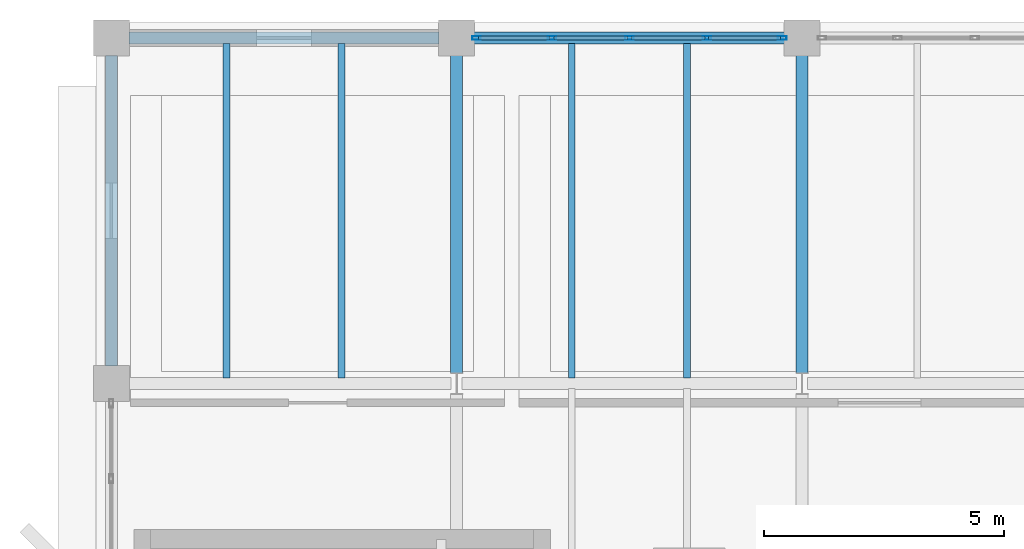
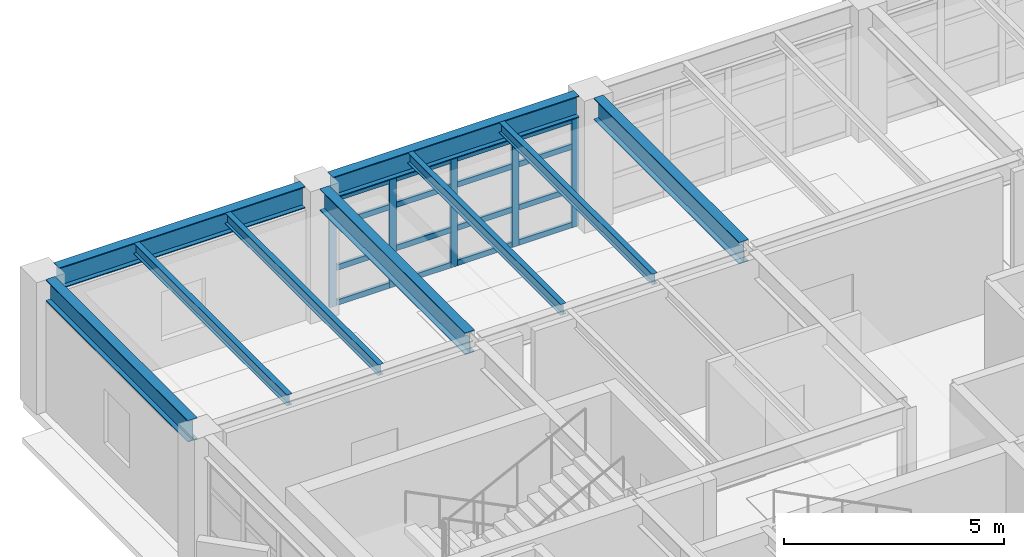
# One storey, part 9 of 24: 21 members, 9 beams, 1 element without a shape of its own.
"""IFC4 building model written with IfcOpenShell, lengths in metres."""

from ifc_helpers import new_model, si_unit, direction, frame, origin, origin_2d, place, context, subcontext, project, spatial, hollow_rectangle, i_section, extrude, material, layer, layer_set, material_profile, profile_set, type_object, element, aggregate, save


model = new_model("IFC4")

# Units and contexts
model_context = context("Model", 3, precision=1e-05, world=origin(), true_north=direction((0.0, 1.0)))
body_context = subcontext(model_context, "Body", "Model", "MODEL_VIEW")
ifc_project = project(units=[si_unit("LENGTHUNIT", "METRE"), si_unit("AREAUNIT", "SQUARE_METRE"), si_unit("VOLUMEUNIT", "CUBIC_METRE"), si_unit("PLANEANGLEUNIT", "RADIAN"), si_unit("MASSUNIT", "GRAM", prefix="KILO")], contexts=[model_context])

# Site, building, storey
site_placement = place(None, origin())
site = spatial("IfcSite", under=ifc_project, at=site_placement, CompositionType="ELEMENT")
building_placement = place(site_placement, origin())
building = spatial("IfcBuilding", under=site, at=building_placement, Name="Kandorven Conservatory and Botanical Research Centre", CompositionType="ELEMENT")
storey_placement = place(building_placement, frame((0.0, 0.0, 21.0)))
storey = spatial("IfcBuildingStorey", under=building, at=storey_placement, Name="L05", CompositionType="ELEMENT", Elevation=21.0)

# Beams
ifc_material_1 = material(Name="Steel S355 (IS 2062 E350)", Category="steel")
ifc_material_profile_1 = material_profile(ifc_material_1, i_section(OverallWidth=0.25, OverallDepth=0.60009765625, WebThickness=0.01171875, FlangeThickness=0.023681640625, at=origin_2d()))
ifc_profile_set_1 = profile_set([ifc_material_profile_1], Name="Steel S355 (IS 2062 E350)")
beam_type_1 = type_object("IfcBeamType", Name="Beam_FG-01", PredefinedType="USERDEFINED", material=ifc_profile_set_1)
for number, where, z_axis, x_axis, name in (
    (1, (6.364990234375, 34.800048828125, 3.3701171875), (1.0, 0.0, 0.0), (0.0, 1.0, 0.0), "Primary girder FG-01 TWR L05"),
    (2, (13.56494140625, 34.800048828125, 3.3701171875), (1.0, 0.0, 0.0), (0.0, 1.0, 0.0), "Primary girder FG-01 TWR L05"),
    (3, (6.0, 27.965087890625, 3.3701171875), (0.0, 1.0, 0.0), (-1.0, 0.0, 0.0), "Primary girder FG-01 TWR L05"),
):
    element("IfcBeam", number, at=place(storey_placement, frame(where, z_axis=z_axis, x_axis=x_axis)), inside=storey, type_object=beam_type_1, Name=name, ObjectType="GIRDER", PredefinedType="USERDEFINED", context=body_context, shape_type="SweptSolid", body=[
        extrude(i_section(OverallWidth=0.25, OverallDepth=0.60009765625, WebThickness=0.01171875, FlangeThickness=0.023681640625, at=origin_2d()), origin(), (0.0, 0.0, 1.0), 6.469970703125),
    ])
for number, where, z_axis, x_axis, name in (
    (4, (13.199951171875, 27.81494140625, 3.3701171875), (0.0, 1.0, 0.0), (-1.0, 0.0, 0.0), "Primary girder FG-01 TWR L05"),
    (5, (20.39990234375, 27.81494140625, 3.3701171875), (0.0, 1.0, 0.0), (-1.0, 0.0, 0.0), "Primary girder FG-01 TWR L05"),
):
    element("IfcBeam", number, at=place(storey_placement, frame(where, z_axis=z_axis, x_axis=x_axis)), inside=storey, type_object=beam_type_1, Name=name, ObjectType="GIRDER", PredefinedType="USERDEFINED", context=body_context, shape_type="SweptSolid", body=[
        extrude(i_section(OverallWidth=0.25, OverallDepth=0.60009765625, WebThickness=0.01171875, FlangeThickness=0.023681640625, at=origin_2d()), origin(), (0.0, 0.0, 1.0), 6.6201171875),
    ])
ifc_material_2 = material(Name="Steel S355 (IS 2062 E350)", Category="steel")
ifc_material_profile_2 = material_profile(ifc_material_2, i_section(OverallWidth=0.139892578125, OverallDepth=0.300048828125, WebThickness=0.0078125, FlangeThickness=0.01318359375, at=origin_2d()))
ifc_profile_set_2 = profile_set([ifc_material_profile_2], Name="Steel S355 (IS 2062 E350)")
beam_type_2 = type_object("IfcBeamType", Name="Beam_SB-07", PredefinedType="BEAM", material=ifc_profile_set_2)
for number, where, z_axis, x_axis, name in (
    (6, (8.39990234375, 27.7099609375, 3.52001953125), (0.0, 1.0, 0.0), (-1.0, 0.0, 0.0), "Composite secondary beam SB-07 TWR L05"),
    (7, (10.800048828125, 27.7099609375, 3.52001953125), (0.0, 1.0, 0.0), (-1.0, 0.0, 0.0), "Composite secondary beam SB-07 TWR L05"),
    (8, (15.60009765625, 27.7099609375, 3.52001953125), (0.0, 1.0, 0.0), (-1.0, 0.0, 0.0), "Composite secondary beam SB-07 TWR L05"),
    (9, (18.0, 27.7099609375, 3.52001953125), (0.0, 1.0, 0.0), (-1.0, 0.0, 0.0), "Composite secondary beam SB-07 TWR L05"),
):
    element("IfcBeam", number, at=place(storey_placement, frame(where, z_axis=z_axis, x_axis=x_axis)), inside=storey, type_object=beam_type_2, Name=name, PredefinedType="BEAM", context=body_context, shape_type="SweptSolid", body=[
        extrude(i_section(OverallWidth=0.139892578125, OverallDepth=0.300048828125, WebThickness=0.0078125, FlangeThickness=0.01318359375, at=origin_2d()), origin(), (0.0, 0.0, 1.0), 6.97998046875),
    ])

# Curtain wall, members
ifc_material_3 = material(Name="Bronze anodised thermally broken aluminium", Category="aluminium")
ifc_layer = layer(ifc_material_3, 0.179931640625)
ifc_layer_set = layer_set([ifc_layer], Name="Bronze anodised thermally broken aluminium")
curtain_wall_type = type_object("IfcCurtainWallType", Name="CW_Unitised", PredefinedType="USERDEFINED", material=ifc_layer_set)
curtain_wall_placement = place(storey_placement, origin())
curtain_wall = element("IfcCurtainWall", 10, at=curtain_wall_placement, inside=storey, type_object=curtain_wall_type, Name="Tower laboratory curtain wall CW-TWR-N-L05-2", ObjectType="UNITISED GLAZING", PredefinedType="USERDEFINED")
ifc_material_4 = material(Name="Bronze anodised thermally broken aluminium", Category="aluminium")
ifc_material_profile_3 = material_profile(ifc_material_4, hollow_rectangle(XDim=0.080078125, YDim=0.179931640625, WallThickness=0.006103515625, at=origin_2d()))
ifc_profile_set_3 = profile_set([ifc_material_profile_3], Name="Bronze anodised thermally broken aluminium")
member_type_1 = type_object("IfcMemberType", Name="CW_Mullion", PredefinedType="MULLION", material=ifc_profile_set_3)
member_1_placement = place(storey_placement, frame((13.614990234375, 34.800048828125, 0.0), z_axis=(0.0, 0.0, 1.0), x_axis=(0.0, 1.0, 0.0)))
member_1 = element("IfcMember", 11, at=member_1_placement, type_object=member_type_1, Name="CW-01 mullion 1", PredefinedType="MULLION", context=body_context, shape_type="SweptSolid", body=[
    extrude(hollow_rectangle(XDim=0.080078125, YDim=0.179931640625, WallThickness=0.006103515625, at=origin_2d()), origin(), (0.0, 0.0, 1.0), 3.050048828125),
])
member_2_placement = place(storey_placement, frame((15.1875, 34.800048828125, 0.0), z_axis=(0.0, 0.0, 1.0), x_axis=(0.0, 1.0, 0.0)))
member_2 = element("IfcMember", 12, at=member_2_placement, type_object=member_type_1, Name="CW-01 mullion 2", PredefinedType="MULLION", context=body_context, shape_type="SweptSolid", body=[
    extrude(hollow_rectangle(XDim=0.080078125, YDim=0.179931640625, WallThickness=0.006103515625, at=origin_2d()), origin(), (0.0, 0.0, 1.0), 3.050048828125),
])
member_3_placement = place(storey_placement, frame((16.800048828125, 34.800048828125, 0.0), z_axis=(0.0, 0.0, 1.0), x_axis=(0.0, 1.0, 0.0)))
member_3 = element("IfcMember", 13, at=member_3_placement, type_object=member_type_1, Name="CW-01 mullion 3", PredefinedType="MULLION", context=body_context, shape_type="SweptSolid", body=[
    extrude(hollow_rectangle(XDim=0.080078125, YDim=0.179931640625, WallThickness=0.006103515625, at=origin_2d()), origin(), (0.0, 0.0, 1.0), 3.050048828125),
])
member_4_placement = place(storey_placement, frame((18.41259765625, 34.800048828125, 0.0), z_axis=(0.0, 0.0, 1.0), x_axis=(0.0, 1.0, 0.0)))
member_4 = element("IfcMember", 14, at=member_4_placement, type_object=member_type_1, Name="CW-01 mullion 4", PredefinedType="MULLION", context=body_context, shape_type="SweptSolid", body=[
    extrude(hollow_rectangle(XDim=0.080078125, YDim=0.179931640625, WallThickness=0.006103515625, at=origin_2d()), origin(), (0.0, 0.0, 1.0), 3.050048828125),
])
member_5_placement = place(storey_placement, frame((19.985107421875, 34.800048828125, 0.0), z_axis=(0.0, 0.0, 1.0), x_axis=(0.0, 1.0, 0.0)))
member_5 = element("IfcMember", 15, at=member_5_placement, type_object=member_type_1, Name="CW-01 mullion 5", PredefinedType="MULLION", context=body_context, shape_type="SweptSolid", body=[
    extrude(hollow_rectangle(XDim=0.080078125, YDim=0.179931640625, WallThickness=0.006103515625, at=origin_2d()), origin(), (0.0, 0.0, 1.0), 3.050048828125),
])
ifc_material_5 = material(Name="Bronze anodised thermally broken aluminium", Category="aluminium")
ifc_material_profile_4 = material_profile(ifc_material_5, hollow_rectangle(XDim=0.074951171875, YDim=0.14990234375, WallThickness=0.006103515625, at=origin_2d()))
ifc_profile_set_4 = profile_set([ifc_material_profile_4], Name="Bronze anodised thermally broken aluminium")
member_type_2 = type_object("IfcMemberType", Name="CW_Transom", PredefinedType="USERDEFINED", material=ifc_profile_set_4)
member_6_placement = place(storey_placement, frame((13.655029296875, 34.800048828125, 0.074951171875), z_axis=(1.0, 0.0, 0.0), x_axis=(0.0, 1.0, 0.0)))
member_6 = element("IfcMember", 16, at=member_6_placement, type_object=member_type_2, Name="CW-01 transom 1.1", ObjectType="TRANSOM", PredefinedType="USERDEFINED", context=body_context, shape_type="SweptSolid", body=[
    extrude(hollow_rectangle(XDim=0.074951171875, YDim=0.14990234375, WallThickness=0.006103515625, at=origin_2d()), origin(), (0.0, 0.0, 1.0), 1.492431640625),
])
member_7_placement = place(storey_placement, frame((13.655029296875, 34.800048828125, 1.050048828125), z_axis=(1.0, 0.0, 0.0), x_axis=(0.0, 1.0, 0.0)))
member_7 = element("IfcMember", 17, at=member_7_placement, type_object=member_type_2, Name="CW-01 transom 1.2", ObjectType="TRANSOM", PredefinedType="USERDEFINED", context=body_context, shape_type="SweptSolid", body=[
    extrude(hollow_rectangle(XDim=0.074951171875, YDim=0.14990234375, WallThickness=0.006103515625, at=origin_2d()), origin(), (0.0, 0.0, 1.0), 1.492431640625),
])
member_8_placement = place(storey_placement, frame((13.655029296875, 34.800048828125, 2.25), z_axis=(1.0, 0.0, 0.0), x_axis=(0.0, 1.0, 0.0)))
member_8 = element("IfcMember", 18, at=member_8_placement, type_object=member_type_2, Name="CW-01 transom 1.3", ObjectType="TRANSOM", PredefinedType="USERDEFINED", context=body_context, shape_type="SweptSolid", body=[
    extrude(hollow_rectangle(XDim=0.074951171875, YDim=0.14990234375, WallThickness=0.006103515625, at=origin_2d()), origin(), (0.0, 0.0, 1.0), 1.492431640625),
])
member_9_placement = place(storey_placement, frame((13.655029296875, 34.800048828125, 2.97509765625), z_axis=(1.0, 0.0, 0.0), x_axis=(0.0, 1.0, 0.0)))
member_9 = element("IfcMember", 19, at=member_9_placement, type_object=member_type_2, Name="CW-01 transom 1.4", ObjectType="TRANSOM", PredefinedType="USERDEFINED", context=body_context, shape_type="SweptSolid", body=[
    extrude(hollow_rectangle(XDim=0.074951171875, YDim=0.14990234375, WallThickness=0.006103515625, at=origin_2d()), origin(), (0.0, 0.0, 1.0), 1.492431640625),
])
member_10_placement = place(storey_placement, frame((15.2275390625, 34.800048828125, 0.074951171875), z_axis=(1.0, 0.0, 0.0), x_axis=(0.0, 1.0, 0.0)))
member_10 = element("IfcMember", 20, at=member_10_placement, type_object=member_type_2, Name="CW-01 transom 2.1", ObjectType="TRANSOM", PredefinedType="USERDEFINED", context=body_context, shape_type="SweptSolid", body=[
    extrude(hollow_rectangle(XDim=0.074951171875, YDim=0.14990234375, WallThickness=0.006103515625, at=origin_2d()), origin(), (0.0, 0.0, 1.0), 1.532470703125),
])
member_11_placement = place(storey_placement, frame((15.2275390625, 34.800048828125, 1.050048828125), z_axis=(1.0, 0.0, 0.0), x_axis=(0.0, 1.0, 0.0)))
member_11 = element("IfcMember", 21, at=member_11_placement, type_object=member_type_2, Name="CW-01 transom 2.2", ObjectType="TRANSOM", PredefinedType="USERDEFINED", context=body_context, shape_type="SweptSolid", body=[
    extrude(hollow_rectangle(XDim=0.074951171875, YDim=0.14990234375, WallThickness=0.006103515625, at=origin_2d()), origin(), (0.0, 0.0, 1.0), 1.532470703125),
])
member_12_placement = place(storey_placement, frame((15.2275390625, 34.800048828125, 2.25), z_axis=(1.0, 0.0, 0.0), x_axis=(0.0, 1.0, 0.0)))
member_12 = element("IfcMember", 22, at=member_12_placement, type_object=member_type_2, Name="CW-01 transom 2.3", ObjectType="TRANSOM", PredefinedType="USERDEFINED", context=body_context, shape_type="SweptSolid", body=[
    extrude(hollow_rectangle(XDim=0.074951171875, YDim=0.14990234375, WallThickness=0.006103515625, at=origin_2d()), origin(), (0.0, 0.0, 1.0), 1.532470703125),
])
member_13_placement = place(storey_placement, frame((15.2275390625, 34.800048828125, 2.97509765625), z_axis=(1.0, 0.0, 0.0), x_axis=(0.0, 1.0, 0.0)))
member_13 = element("IfcMember", 23, at=member_13_placement, type_object=member_type_2, Name="CW-01 transom 2.4", ObjectType="TRANSOM", PredefinedType="USERDEFINED", context=body_context, shape_type="SweptSolid", body=[
    extrude(hollow_rectangle(XDim=0.074951171875, YDim=0.14990234375, WallThickness=0.006103515625, at=origin_2d()), origin(), (0.0, 0.0, 1.0), 1.532470703125),
])
member_14_placement = place(storey_placement, frame((16.840087890625, 34.800048828125, 0.074951171875), z_axis=(1.0, 0.0, 0.0), x_axis=(0.0, 1.0, 0.0)))
member_14 = element("IfcMember", 24, at=member_14_placement, type_object=member_type_2, Name="CW-01 transom 3.1", ObjectType="TRANSOM", PredefinedType="USERDEFINED", context=body_context, shape_type="SweptSolid", body=[
    extrude(hollow_rectangle(XDim=0.074951171875, YDim=0.14990234375, WallThickness=0.006103515625, at=origin_2d()), origin(), (0.0, 0.0, 1.0), 1.532470703125),
])
member_15_placement = place(storey_placement, frame((16.840087890625, 34.800048828125, 1.050048828125), z_axis=(1.0, 0.0, 0.0), x_axis=(0.0, 1.0, 0.0)))
member_15 = element("IfcMember", 25, at=member_15_placement, type_object=member_type_2, Name="CW-01 transom 3.2", ObjectType="TRANSOM", PredefinedType="USERDEFINED", context=body_context, shape_type="SweptSolid", body=[
    extrude(hollow_rectangle(XDim=0.074951171875, YDim=0.14990234375, WallThickness=0.006103515625, at=origin_2d()), origin(), (0.0, 0.0, 1.0), 1.532470703125),
])
member_16_placement = place(storey_placement, frame((16.840087890625, 34.800048828125, 2.25), z_axis=(1.0, 0.0, 0.0), x_axis=(0.0, 1.0, 0.0)))
member_16 = element("IfcMember", 26, at=member_16_placement, type_object=member_type_2, Name="CW-01 transom 3.3", ObjectType="TRANSOM", PredefinedType="USERDEFINED", context=body_context, shape_type="SweptSolid", body=[
    extrude(hollow_rectangle(XDim=0.074951171875, YDim=0.14990234375, WallThickness=0.006103515625, at=origin_2d()), origin(), (0.0, 0.0, 1.0), 1.532470703125),
])
member_17_placement = place(storey_placement, frame((16.840087890625, 34.800048828125, 2.97509765625), z_axis=(1.0, 0.0, 0.0), x_axis=(0.0, 1.0, 0.0)))
member_17 = element("IfcMember", 27, at=member_17_placement, type_object=member_type_2, Name="CW-01 transom 3.4", ObjectType="TRANSOM", PredefinedType="USERDEFINED", context=body_context, shape_type="SweptSolid", body=[
    extrude(hollow_rectangle(XDim=0.074951171875, YDim=0.14990234375, WallThickness=0.006103515625, at=origin_2d()), origin(), (0.0, 0.0, 1.0), 1.532470703125),
])
member_18_placement = place(storey_placement, frame((18.452392578125, 34.800048828125, 0.074951171875), z_axis=(1.0, 0.0, 0.0), x_axis=(0.0, 1.0, 0.0)))
member_18 = element("IfcMember", 28, at=member_18_placement, type_object=member_type_2, Name="CW-01 transom 4.1", ObjectType="TRANSOM", PredefinedType="USERDEFINED", context=body_context, shape_type="SweptSolid", body=[
    extrude(hollow_rectangle(XDim=0.074951171875, YDim=0.14990234375, WallThickness=0.006103515625, at=origin_2d()), origin(), (0.0, 0.0, 1.0), 1.49267578125),
])
member_19_placement = place(storey_placement, frame((18.452392578125, 34.800048828125, 1.050048828125), z_axis=(1.0, 0.0, 0.0), x_axis=(0.0, 1.0, 0.0)))
member_19 = element("IfcMember", 29, at=member_19_placement, type_object=member_type_2, Name="CW-01 transom 4.2", ObjectType="TRANSOM", PredefinedType="USERDEFINED", context=body_context, shape_type="SweptSolid", body=[
    extrude(hollow_rectangle(XDim=0.074951171875, YDim=0.14990234375, WallThickness=0.006103515625, at=origin_2d()), origin(), (0.0, 0.0, 1.0), 1.49267578125),
])
member_20_placement = place(storey_placement, frame((18.452392578125, 34.800048828125, 2.25), z_axis=(1.0, 0.0, 0.0), x_axis=(0.0, 1.0, 0.0)))
member_20 = element("IfcMember", 30, at=member_20_placement, type_object=member_type_2, Name="CW-01 transom 4.3", ObjectType="TRANSOM", PredefinedType="USERDEFINED", context=body_context, shape_type="SweptSolid", body=[
    extrude(hollow_rectangle(XDim=0.074951171875, YDim=0.14990234375, WallThickness=0.006103515625, at=origin_2d()), origin(), (0.0, 0.0, 1.0), 1.49267578125),
])
member_21_placement = place(storey_placement, frame((18.452392578125, 34.800048828125, 2.97509765625), z_axis=(1.0, 0.0, 0.0), x_axis=(0.0, 1.0, 0.0)))
member_21 = element("IfcMember", 31, at=member_21_placement, type_object=member_type_2, Name="CW-01 transom 4.4", ObjectType="TRANSOM", PredefinedType="USERDEFINED", context=body_context, shape_type="SweptSolid", body=[
    extrude(hollow_rectangle(XDim=0.074951171875, YDim=0.14990234375, WallThickness=0.006103515625, at=origin_2d()), origin(), (0.0, 0.0, 1.0), 1.49267578125),
])
aggregate(curtain_wall, [member_1, member_2, member_3, member_4, member_5, member_6, member_7, member_8, member_9, member_10, member_11, member_12, member_13, member_14, member_15, member_16, member_17, member_18, member_19, member_20, member_21])

save(model, "model.ifc")
